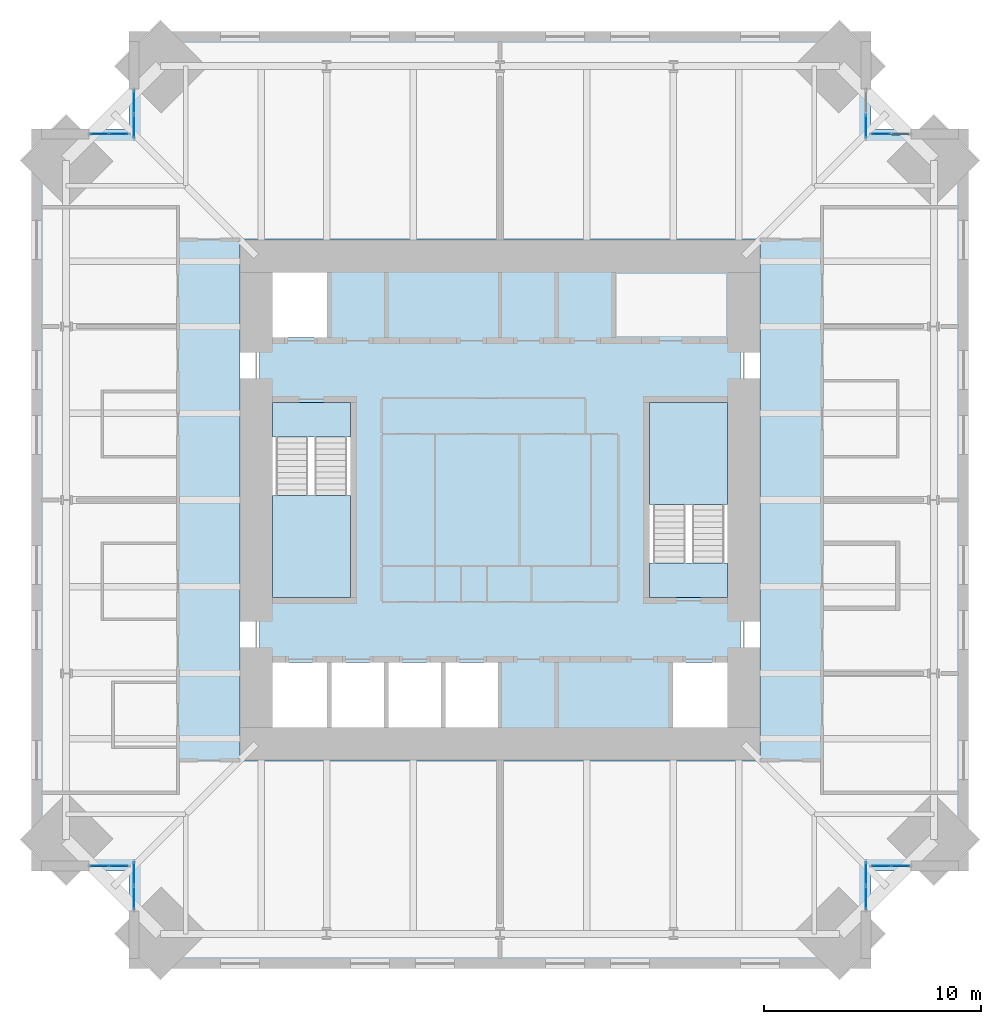
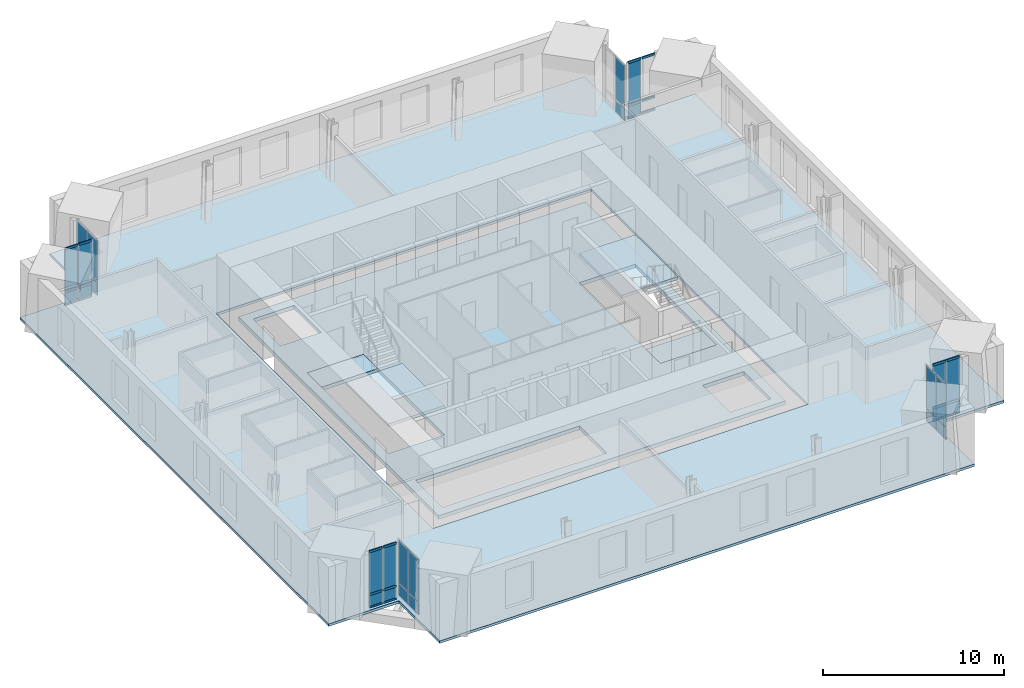
# One storey, part 10 of 16: 28 plates, 24 members, 6 slabs, 10 elements without a shape of their own.
"""IFC4 building model written with IfcOpenShell, lengths in metres."""

from ifc_helpers import new_model, si_unit, direction, frame, origin, origin_2d, place, context, subcontext, project, spatial, polyline, rectangle, hollow_rectangle, outline, extrude, material, layer, layer_set, material_profile, profile_set, type_object, element, aggregate, save


model = new_model("IFC4")

# Units and contexts
model_context = context("Model", 3, precision=1e-05, world=origin(), true_north=direction((0.0, 1.0)))
body_context = subcontext(model_context, "Body", "Model", "MODEL_VIEW")
ifc_project = project(units=[si_unit("LENGTHUNIT", "METRE"), si_unit("AREAUNIT", "SQUARE_METRE"), si_unit("VOLUMEUNIT", "CUBIC_METRE"), si_unit("PLANEANGLEUNIT", "RADIAN"), si_unit("MASSUNIT", "GRAM", prefix="KILO")], contexts=[model_context])

# Site, building, storey
site_placement = place(None, origin())
site = spatial("IfcSite", under=ifc_project, at=site_placement, CompositionType="ELEMENT")
building_placement = place(site_placement, origin())
building = spatial("IfcBuilding", under=site, at=building_placement, Name="Peilmerk Tower", CompositionType="ELEMENT")
storey_placement = place(building_placement, frame((0.0, 0.0, 269.800048828125)))
storey = spatial("IfcBuildingStorey", under=building, at=storey_placement, Name="L60", CompositionType="ELEMENT", Elevation=269.800048828125)

# Curtain wall, members
ifc_material_1 = material(Name="Aluminium stick curtain wall", Category="aluminium")
curtain_wall_type = type_object("IfcCurtainWallType", Name="CW4 stick curtain wall, 2250 module", PredefinedType="NOTDEFINED", material=ifc_material_1)
curtain_wall_1_placement = place(storey_placement, origin())
curtain_wall_1 = element("IfcCurtainWall", 1, at=curtain_wall_1_placement, inside=storey, type_object=curtain_wall_type, Name="Curtain wall CW4 NEB L60", PredefinedType="NOTDEFINED")
ifc_material_2 = material(Name="Aluminium EN AW-6063 T6", Category="aluminium")
ifc_material_profile = material_profile(ifc_material_2, hollow_rectangle(XDim=0.06494140625, YDim=0.14990234375, WallThickness=0.0029296875, at=origin_2d()), Name="AL 150x65x3")
ifc_profile_set = profile_set([ifc_material_profile], Name="Aluminium EN AW-6063 T6")
member_type = type_object("IfcMemberType", Name="CW4-T AL 150x65x3 transom", PredefinedType="USERDEFINED", material=ifc_profile_set)
member_1_placement = place(storey_placement, frame((17.1650390625, 16.875, 0.032470703125), z_axis=(1.0, 0.0, 0.0), x_axis=(0.0, 1.0, 0.0)))
member_1 = element("IfcMember", 2, at=member_1_placement, type_object=member_type, Name="CW4 transom 1.1", ObjectType="TRANSOM", PredefinedType="USERDEFINED", context=body_context, shape_type="SweptSolid", body=[
    extrude(hollow_rectangle(XDim=0.06494140625, YDim=0.14990234375, WallThickness=0.0029296875, at=origin_2d()), origin(), (0.0, 0.0, 1.0), 0.82177734375),
])
member_2_placement = place(storey_placement, frame((17.1650390625, 16.875, 0.89990234375), z_axis=(1.0, 0.0, 0.0), x_axis=(0.0, 1.0, 0.0)))
member_2 = element("IfcMember", 3, at=member_2_placement, type_object=member_type, Name="CW4 transom 1.2", ObjectType="TRANSOM", PredefinedType="USERDEFINED", context=body_context, shape_type="SweptSolid", body=[
    extrude(hollow_rectangle(XDim=0.06494140625, YDim=0.14990234375, WallThickness=0.0029296875, at=origin_2d()), origin(), (0.0, 0.0, 1.0), 0.82177734375),
])
member_3_placement = place(storey_placement, frame((17.1650390625, 16.875, 3.79736328125), z_axis=(1.0, 0.0, 0.0), x_axis=(0.0, 1.0, 0.0)))
member_3 = element("IfcMember", 4, at=member_3_placement, type_object=member_type, Name="CW4 transom 1.3", ObjectType="TRANSOM", PredefinedType="USERDEFINED", context=body_context, shape_type="SweptSolid", body=[
    extrude(hollow_rectangle(XDim=0.06494140625, YDim=0.14990234375, WallThickness=0.0029296875, at=origin_2d()), origin(), (0.0, 0.0, 1.0), 0.82177734375),
])
member_4_placement = place(storey_placement, frame((18.0517578125, 16.875, 0.032470703125), z_axis=(1.0, 0.0, 0.0), x_axis=(0.0, 1.0, 0.0)))
member_4 = element("IfcMember", 5, at=member_4_placement, type_object=member_type, Name="CW4 transom 2.1", ObjectType="TRANSOM", PredefinedType="USERDEFINED", context=body_context, shape_type="SweptSolid", body=[
    extrude(hollow_rectangle(XDim=0.06494140625, YDim=0.14990234375, WallThickness=0.0029296875, at=origin_2d()), origin(), (0.0, 0.0, 1.0), 0.822021484375),
])
member_5_placement = place(storey_placement, frame((18.0517578125, 16.875, 0.89990234375), z_axis=(1.0, 0.0, 0.0), x_axis=(0.0, 1.0, 0.0)))
member_5 = element("IfcMember", 6, at=member_5_placement, type_object=member_type, Name="CW4 transom 2.2", ObjectType="TRANSOM", PredefinedType="USERDEFINED", context=body_context, shape_type="SweptSolid", body=[
    extrude(hollow_rectangle(XDim=0.06494140625, YDim=0.14990234375, WallThickness=0.0029296875, at=origin_2d()), origin(), (0.0, 0.0, 1.0), 0.822021484375),
])
member_6_placement = place(storey_placement, frame((18.0517578125, 16.875, 3.79736328125), z_axis=(1.0, 0.0, 0.0), x_axis=(0.0, 1.0, 0.0)))
member_6 = element("IfcMember", 7, at=member_6_placement, type_object=member_type, Name="CW4 transom 2.3", ObjectType="TRANSOM", PredefinedType="USERDEFINED", context=body_context, shape_type="SweptSolid", body=[
    extrude(hollow_rectangle(XDim=0.06494140625, YDim=0.14990234375, WallThickness=0.0029296875, at=origin_2d()), origin(), (0.0, 0.0, 1.0), 0.822021484375),
])

curtain_wall_2_placement = place(storey_placement, origin())
curtain_wall_2 = element("IfcCurtainWall", 8, at=curtain_wall_2_placement, inside=storey, type_object=curtain_wall_type, Name="Curtain wall CW4 SEB L60", PredefinedType="NOTDEFINED")
member_7_placement = place(storey_placement, frame((17.1650390625, -16.875, 0.032470703125), z_axis=(1.0, 0.0, 0.0), x_axis=(0.0, 1.0, 0.0)))
member_7 = element("IfcMember", 9, at=member_7_placement, type_object=member_type, Name="CW4 transom 1.1", ObjectType="TRANSOM", PredefinedType="USERDEFINED", context=body_context, shape_type="SweptSolid", body=[
    extrude(hollow_rectangle(XDim=0.06494140625, YDim=0.14990234375, WallThickness=0.0029296875, at=origin_2d()), origin(), (0.0, 0.0, 1.0), 0.82177734375),
])
member_8_placement = place(storey_placement, frame((17.1650390625, -16.875, 0.89990234375), z_axis=(1.0, 0.0, 0.0), x_axis=(0.0, 1.0, 0.0)))
member_8 = element("IfcMember", 10, at=member_8_placement, type_object=member_type, Name="CW4 transom 1.2", ObjectType="TRANSOM", PredefinedType="USERDEFINED", context=body_context, shape_type="SweptSolid", body=[
    extrude(hollow_rectangle(XDim=0.06494140625, YDim=0.14990234375, WallThickness=0.0029296875, at=origin_2d()), origin(), (0.0, 0.0, 1.0), 0.82177734375),
])
member_9_placement = place(storey_placement, frame((17.1650390625, -16.875, 3.79736328125), z_axis=(1.0, 0.0, 0.0), x_axis=(0.0, 1.0, 0.0)))
member_9 = element("IfcMember", 11, at=member_9_placement, type_object=member_type, Name="CW4 transom 1.3", ObjectType="TRANSOM", PredefinedType="USERDEFINED", context=body_context, shape_type="SweptSolid", body=[
    extrude(hollow_rectangle(XDim=0.06494140625, YDim=0.14990234375, WallThickness=0.0029296875, at=origin_2d()), origin(), (0.0, 0.0, 1.0), 0.82177734375),
])
member_10_placement = place(storey_placement, frame((18.0517578125, -16.875, 0.032470703125), z_axis=(1.0, 0.0, 0.0), x_axis=(0.0, 1.0, 0.0)))
member_10 = element("IfcMember", 12, at=member_10_placement, type_object=member_type, Name="CW4 transom 2.1", ObjectType="TRANSOM", PredefinedType="USERDEFINED", context=body_context, shape_type="SweptSolid", body=[
    extrude(hollow_rectangle(XDim=0.06494140625, YDim=0.14990234375, WallThickness=0.0029296875, at=origin_2d()), origin(), (0.0, 0.0, 1.0), 0.822021484375),
])
member_11_placement = place(storey_placement, frame((18.0517578125, -16.875, 0.89990234375), z_axis=(1.0, 0.0, 0.0), x_axis=(0.0, 1.0, 0.0)))
member_11 = element("IfcMember", 13, at=member_11_placement, type_object=member_type, Name="CW4 transom 2.2", ObjectType="TRANSOM", PredefinedType="USERDEFINED", context=body_context, shape_type="SweptSolid", body=[
    extrude(hollow_rectangle(XDim=0.06494140625, YDim=0.14990234375, WallThickness=0.0029296875, at=origin_2d()), origin(), (0.0, 0.0, 1.0), 0.822021484375),
])
member_12_placement = place(storey_placement, frame((18.0517578125, -16.875, 3.79736328125), z_axis=(1.0, 0.0, 0.0), x_axis=(0.0, 1.0, 0.0)))
member_12 = element("IfcMember", 14, at=member_12_placement, type_object=member_type, Name="CW4 transom 2.3", ObjectType="TRANSOM", PredefinedType="USERDEFINED", context=body_context, shape_type="SweptSolid", body=[
    extrude(hollow_rectangle(XDim=0.06494140625, YDim=0.14990234375, WallThickness=0.0029296875, at=origin_2d()), origin(), (0.0, 0.0, 1.0), 0.822021484375),
])

curtain_wall_3_placement = place(storey_placement, origin())
curtain_wall_3 = element("IfcCurtainWall", 15, at=curtain_wall_3_placement, inside=storey, type_object=curtain_wall_type, Name="Curtain wall CW4 SWB L60", PredefinedType="NOTDEFINED")
member_13_placement = place(storey_placement, frame((-17.1650390625, -16.875, 0.032470703125), z_axis=(-1.0, 0.0, 0.0), x_axis=(0.0, -1.0, 0.0)))
member_13 = element("IfcMember", 16, at=member_13_placement, type_object=member_type, Name="CW4 transom 1.1", ObjectType="TRANSOM", PredefinedType="USERDEFINED", context=body_context, shape_type="SweptSolid", body=[
    extrude(hollow_rectangle(XDim=0.06494140625, YDim=0.14990234375, WallThickness=0.0029296875, at=origin_2d()), origin(), (0.0, 0.0, 1.0), 0.82177734375),
])
member_14_placement = place(storey_placement, frame((-17.1650390625, -16.875, 0.89990234375), z_axis=(-1.0, 0.0, 0.0), x_axis=(0.0, -1.0, 0.0)))
member_14 = element("IfcMember", 17, at=member_14_placement, type_object=member_type, Name="CW4 transom 1.2", ObjectType="TRANSOM", PredefinedType="USERDEFINED", context=body_context, shape_type="SweptSolid", body=[
    extrude(hollow_rectangle(XDim=0.06494140625, YDim=0.14990234375, WallThickness=0.0029296875, at=origin_2d()), origin(), (0.0, 0.0, 1.0), 0.82177734375),
])
member_15_placement = place(storey_placement, frame((-17.1650390625, -16.875, 3.79736328125), z_axis=(-1.0, 0.0, 0.0), x_axis=(0.0, -1.0, 0.0)))
member_15 = element("IfcMember", 18, at=member_15_placement, type_object=member_type, Name="CW4 transom 1.3", ObjectType="TRANSOM", PredefinedType="USERDEFINED", context=body_context, shape_type="SweptSolid", body=[
    extrude(hollow_rectangle(XDim=0.06494140625, YDim=0.14990234375, WallThickness=0.0029296875, at=origin_2d()), origin(), (0.0, 0.0, 1.0), 0.82177734375),
])
member_16_placement = place(storey_placement, frame((-18.0517578125, -16.875, 0.032470703125), z_axis=(-1.0, 0.0, 0.0), x_axis=(0.0, -1.0, 0.0)))
member_16 = element("IfcMember", 19, at=member_16_placement, type_object=member_type, Name="CW4 transom 2.1", ObjectType="TRANSOM", PredefinedType="USERDEFINED", context=body_context, shape_type="SweptSolid", body=[
    extrude(hollow_rectangle(XDim=0.06494140625, YDim=0.14990234375, WallThickness=0.0029296875, at=origin_2d()), origin(), (0.0, 0.0, 1.0), 0.822021484375),
])
member_17_placement = place(storey_placement, frame((-18.0517578125, -16.875, 0.89990234375), z_axis=(-1.0, 0.0, 0.0), x_axis=(0.0, -1.0, 0.0)))
member_17 = element("IfcMember", 20, at=member_17_placement, type_object=member_type, Name="CW4 transom 2.2", ObjectType="TRANSOM", PredefinedType="USERDEFINED", context=body_context, shape_type="SweptSolid", body=[
    extrude(hollow_rectangle(XDim=0.06494140625, YDim=0.14990234375, WallThickness=0.0029296875, at=origin_2d()), origin(), (0.0, 0.0, 1.0), 0.822021484375),
])
member_18_placement = place(storey_placement, frame((-18.0517578125, -16.875, 3.79736328125), z_axis=(-1.0, 0.0, 0.0), x_axis=(0.0, -1.0, 0.0)))
member_18 = element("IfcMember", 21, at=member_18_placement, type_object=member_type, Name="CW4 transom 2.3", ObjectType="TRANSOM", PredefinedType="USERDEFINED", context=body_context, shape_type="SweptSolid", body=[
    extrude(hollow_rectangle(XDim=0.06494140625, YDim=0.14990234375, WallThickness=0.0029296875, at=origin_2d()), origin(), (0.0, 0.0, 1.0), 0.822021484375),
])

curtain_wall_4_placement = place(storey_placement, origin())
curtain_wall_4 = element("IfcCurtainWall", 22, at=curtain_wall_4_placement, inside=storey, type_object=curtain_wall_type, Name="Curtain wall CW4 NWB L60", PredefinedType="NOTDEFINED")
member_19_placement = place(storey_placement, frame((-17.1650390625, 16.875, 0.032470703125), z_axis=(-1.0, 0.0, 0.0), x_axis=(0.0, -1.0, 0.0)))
member_19 = element("IfcMember", 23, at=member_19_placement, type_object=member_type, Name="CW4 transom 1.1", ObjectType="TRANSOM", PredefinedType="USERDEFINED", context=body_context, shape_type="SweptSolid", body=[
    extrude(hollow_rectangle(XDim=0.06494140625, YDim=0.14990234375, WallThickness=0.0029296875, at=origin_2d()), origin(), (0.0, 0.0, 1.0), 0.82177734375),
])
member_20_placement = place(storey_placement, frame((-17.1650390625, 16.875, 0.89990234375), z_axis=(-1.0, 0.0, 0.0), x_axis=(0.0, -1.0, 0.0)))
member_20 = element("IfcMember", 24, at=member_20_placement, type_object=member_type, Name="CW4 transom 1.2", ObjectType="TRANSOM", PredefinedType="USERDEFINED", context=body_context, shape_type="SweptSolid", body=[
    extrude(hollow_rectangle(XDim=0.06494140625, YDim=0.14990234375, WallThickness=0.0029296875, at=origin_2d()), origin(), (0.0, 0.0, 1.0), 0.82177734375),
])
member_21_placement = place(storey_placement, frame((-17.1650390625, 16.875, 3.79736328125), z_axis=(-1.0, 0.0, 0.0), x_axis=(0.0, -1.0, 0.0)))
member_21 = element("IfcMember", 25, at=member_21_placement, type_object=member_type, Name="CW4 transom 1.3", ObjectType="TRANSOM", PredefinedType="USERDEFINED", context=body_context, shape_type="SweptSolid", body=[
    extrude(hollow_rectangle(XDim=0.06494140625, YDim=0.14990234375, WallThickness=0.0029296875, at=origin_2d()), origin(), (0.0, 0.0, 1.0), 0.82177734375),
])
member_22_placement = place(storey_placement, frame((-18.0517578125, 16.875, 0.032470703125), z_axis=(-1.0, 0.0, 0.0), x_axis=(0.0, -1.0, 0.0)))
member_22 = element("IfcMember", 26, at=member_22_placement, type_object=member_type, Name="CW4 transom 2.1", ObjectType="TRANSOM", PredefinedType="USERDEFINED", context=body_context, shape_type="SweptSolid", body=[
    extrude(hollow_rectangle(XDim=0.06494140625, YDim=0.14990234375, WallThickness=0.0029296875, at=origin_2d()), origin(), (0.0, 0.0, 1.0), 0.822021484375),
])
member_23_placement = place(storey_placement, frame((-18.0517578125, 16.875, 0.89990234375), z_axis=(-1.0, 0.0, 0.0), x_axis=(0.0, -1.0, 0.0)))
member_23 = element("IfcMember", 27, at=member_23_placement, type_object=member_type, Name="CW4 transom 2.2", ObjectType="TRANSOM", PredefinedType="USERDEFINED", context=body_context, shape_type="SweptSolid", body=[
    extrude(hollow_rectangle(XDim=0.06494140625, YDim=0.14990234375, WallThickness=0.0029296875, at=origin_2d()), origin(), (0.0, 0.0, 1.0), 0.822021484375),
])
member_24_placement = place(storey_placement, frame((-18.0517578125, 16.875, 3.79736328125), z_axis=(-1.0, 0.0, 0.0), x_axis=(0.0, -1.0, 0.0)))
member_24 = element("IfcMember", 28, at=member_24_placement, type_object=member_type, Name="CW4 transom 2.3", ObjectType="TRANSOM", PredefinedType="USERDEFINED", context=body_context, shape_type="SweptSolid", body=[
    extrude(hollow_rectangle(XDim=0.06494140625, YDim=0.14990234375, WallThickness=0.0029296875, at=origin_2d()), origin(), (0.0, 0.0, 1.0), 0.822021484375),
])

# Slab
ifc_material_3 = material(Name="Concrete C55/67", Category="concrete")
ifc_layer_1 = layer(ifc_material_3, 0.25)
ifc_layer_set_1 = layer_set([ifc_layer_1], Name="Concrete C55/67")
slab_type_1 = type_object("IfcSlabType", Name="CS250 250 core floor slab", PredefinedType="FLOOR", material=ifc_layer_set_1)
slab_1_placement = place(storey_placement, frame((0.0, 0.0, -0.25)))
element("IfcSlab", 29, at=slab_1_placement, inside=storey, type_object=slab_type_1, Name="Core slab L60", PredefinedType="FLOOR", context=body_context, shape_type="SweptSolid", body=[
    extrude(outline(polyline([(11.10009765625, -11.10009765625), (11.10009765625, 11.10009765625), (-11.10009765625, 11.10009765625), (-11.10009765625, -11.10009765625), (11.10009765625, -11.10009765625)]), holes=[polyline([(-7.875, 7.5), (-10.5, 7.5), (-10.5, 10.5), (-7.875, 10.5), (-7.875, 7.5)]), polyline([(0.0, -10.5), (-10.5, -10.5), (-10.5, -7.5), (0.0, -7.5), (0.0, -10.5)]), polyline([(7.875, -10.5), (7.875, -7.5), (10.5, -7.5), (10.5, -10.5), (7.875, -10.5)]), polyline([(-10.5, 4.5), (-6.89990234375, 4.5), (-6.89990234375, -4.5), (-10.5, -4.5), (-10.5, 4.5)]), polyline([(10.5, 4.5), (10.5, -4.5), (6.89990234375, -4.5), (6.89990234375, 4.5), (10.5, 4.5)])]), origin(), (0.0, 0.0, 1.0), 0.25),
])

# Curtain wall, plates
curtain_wall_5_placement = place(storey_placement, origin())
curtain_wall_5 = element("IfcCurtainWall", 30, at=curtain_wall_5_placement, inside=storey, type_object=curtain_wall_type, Name="Curtain wall CW4 NEA L60", PredefinedType="NOTDEFINED")
ifc_material_4 = material(Name="Clear insulated glazing unit", Category="glass")
ifc_layer_2 = layer(ifc_material_4, 0.028076171875)
ifc_layer_set_2 = layer_set([ifc_layer_2], Name="Clear insulated glazing unit")
plate_type = type_object("IfcPlateType", Name="CW4-P 28 glazed panel", PredefinedType="CURTAIN_PANEL", material=ifc_layer_set_2)
plate_1_placement = place(storey_placement, frame((16.875, 17.238525390625, 0.06494140625), z_axis=(0.0, 0.0, 1.0), x_axis=(0.0, 1.0, 0.0)))
plate_1 = element("IfcPlate", 31, at=plate_1_placement, type_object=plate_type, Name="CW4 panel 1.1", PredefinedType="CURTAIN_PANEL", context=body_context, shape_type="SweptSolid", body=[
    extrude(rectangle(XDim=1.046875, YDim=0.028076171875, at=origin_2d()), origin(), (0.0, 0.0, 1.0), 0.802490234375),
])
plate_2_placement = place(storey_placement, frame((16.875, 17.238525390625, 0.932373046875), z_axis=(0.0, 0.0, 1.0), x_axis=(0.0, 1.0, 0.0)))
plate_2 = element("IfcPlate", 32, at=plate_2_placement, type_object=plate_type, Name="CW4 panel 1.2", PredefinedType="CURTAIN_PANEL", context=body_context, shape_type="SweptSolid", body=[
    extrude(rectangle(XDim=1.046875, YDim=0.028076171875, at=origin_2d()), origin(), (0.0, 0.0, 1.0), 2.83251953125),
])
aggregate(curtain_wall_5, [plate_1, plate_2])

# Plate
plate_3_placement = place(storey_placement, frame((17.575927734375, 16.875, 0.06494140625), z_axis=(0.0, 0.0, 1.0), x_axis=(1.0, 0.0, 0.0)))
plate_3 = element("IfcPlate", 33, at=plate_3_placement, type_object=plate_type, Name="CW4 panel 1.1", PredefinedType="CURTAIN_PANEL", context=body_context, shape_type="SweptSolid", body=[
    extrude(rectangle(XDim=0.82177734375, YDim=0.028076171875, at=origin_2d()), origin(), (0.0, 0.0, 1.0), 0.802490234375),
])

plate_4_placement = place(storey_placement, frame((17.575927734375, 16.875, 0.932373046875), z_axis=(0.0, 0.0, 1.0), x_axis=(1.0, 0.0, 0.0)))
plate_4 = element("IfcPlate", 34, at=plate_4_placement, type_object=plate_type, Name="CW4 panel 1.2", PredefinedType="CURTAIN_PANEL", context=body_context, shape_type="SweptSolid", body=[
    extrude(rectangle(XDim=0.82177734375, YDim=0.028076171875, at=origin_2d()), origin(), (0.0, 0.0, 1.0), 2.83251953125),
])

aggregate(curtain_wall_1, [member_1, member_2, member_3, plate_3, plate_4, member_4, member_5, member_6])

# Curtain wall, plates
curtain_wall_6_placement = place(storey_placement, origin())
curtain_wall_6 = element("IfcCurtainWall", 35, at=curtain_wall_6_placement, inside=storey, type_object=curtain_wall_type, Name="Curtain wall CW4 SEA L60", PredefinedType="NOTDEFINED")
plate_5_placement = place(storey_placement, frame((16.875, -17.238525390625, 0.06494140625), z_axis=(0.0, 0.0, 1.0), x_axis=(0.0, -1.0, 0.0)))
plate_5 = element("IfcPlate", 36, at=plate_5_placement, type_object=plate_type, Name="CW4 panel 1.1", PredefinedType="CURTAIN_PANEL", context=body_context, shape_type="SweptSolid", body=[
    extrude(rectangle(XDim=1.046875, YDim=0.028076171875, at=origin_2d()), origin(), (0.0, 0.0, 1.0), 0.802490234375),
])
plate_6_placement = place(storey_placement, frame((16.875, -17.238525390625, 0.932373046875), z_axis=(0.0, 0.0, 1.0), x_axis=(0.0, -1.0, 0.0)))
plate_6 = element("IfcPlate", 37, at=plate_6_placement, type_object=plate_type, Name="CW4 panel 1.2", PredefinedType="CURTAIN_PANEL", context=body_context, shape_type="SweptSolid", body=[
    extrude(rectangle(XDim=1.046875, YDim=0.028076171875, at=origin_2d()), origin(), (0.0, 0.0, 1.0), 2.83251953125),
])
plate_7_placement = place(storey_placement, frame((16.875, -18.350341796875, 0.06494140625), z_axis=(0.0, 0.0, 1.0), x_axis=(0.0, -1.0, 0.0)))
plate_7 = element("IfcPlate", 38, at=plate_7_placement, type_object=plate_type, Name="CW4 panel 2.1", PredefinedType="CURTAIN_PANEL", context=body_context, shape_type="SweptSolid", body=[
    extrude(rectangle(XDim=1.046875, YDim=0.028076171875, at=origin_2d()), origin(), (0.0, 0.0, 1.0), 0.802490234375),
])
plate_8_placement = place(storey_placement, frame((16.875, -18.350341796875, 0.932373046875), z_axis=(0.0, 0.0, 1.0), x_axis=(0.0, -1.0, 0.0)))
plate_8 = element("IfcPlate", 39, at=plate_8_placement, type_object=plate_type, Name="CW4 panel 2.2", PredefinedType="CURTAIN_PANEL", context=body_context, shape_type="SweptSolid", body=[
    extrude(rectangle(XDim=1.046875, YDim=0.028076171875, at=origin_2d()), origin(), (0.0, 0.0, 1.0), 2.83251953125),
])
aggregate(curtain_wall_6, [plate_5, plate_6, plate_7, plate_8])

# Plate
plate_9_placement = place(storey_placement, frame((17.575927734375, -16.875, 0.06494140625), z_axis=(0.0, 0.0, 1.0), x_axis=(1.0, 0.0, 0.0)))
plate_9 = element("IfcPlate", 40, at=plate_9_placement, type_object=plate_type, Name="CW4 panel 1.1", PredefinedType="CURTAIN_PANEL", context=body_context, shape_type="SweptSolid", body=[
    extrude(rectangle(XDim=0.82177734375, YDim=0.028076171875, at=origin_2d()), origin(), (0.0, 0.0, 1.0), 0.802490234375),
])

plate_10_placement = place(storey_placement, frame((17.575927734375, -16.875, 0.932373046875), z_axis=(0.0, 0.0, 1.0), x_axis=(1.0, 0.0, 0.0)))
plate_10 = element("IfcPlate", 41, at=plate_10_placement, type_object=plate_type, Name="CW4 panel 1.2", PredefinedType="CURTAIN_PANEL", context=body_context, shape_type="SweptSolid", body=[
    extrude(rectangle(XDim=0.82177734375, YDim=0.028076171875, at=origin_2d()), origin(), (0.0, 0.0, 1.0), 2.83251953125),
])

plate_11_placement = place(storey_placement, frame((18.462646484375, -16.875, 0.06494140625), z_axis=(0.0, 0.0, 1.0), x_axis=(1.0, 0.0, 0.0)))
plate_11 = element("IfcPlate", 42, at=plate_11_placement, type_object=plate_type, Name="CW4 panel 2.1", PredefinedType="CURTAIN_PANEL", context=body_context, shape_type="SweptSolid", body=[
    extrude(rectangle(XDim=0.82177734375, YDim=0.028076171875, at=origin_2d()), origin(), (0.0, 0.0, 1.0), 0.802490234375),
])

plate_12_placement = place(storey_placement, frame((18.462646484375, -16.875, 0.932373046875), z_axis=(0.0, 0.0, 1.0), x_axis=(1.0, 0.0, 0.0)))
plate_12 = element("IfcPlate", 43, at=plate_12_placement, type_object=plate_type, Name="CW4 panel 2.2", PredefinedType="CURTAIN_PANEL", context=body_context, shape_type="SweptSolid", body=[
    extrude(rectangle(XDim=0.82177734375, YDim=0.028076171875, at=origin_2d()), origin(), (0.0, 0.0, 1.0), 2.83251953125),
])

aggregate(curtain_wall_2, [member_7, member_8, member_9, plate_9, plate_10, member_10, member_11, member_12, plate_11, plate_12])

# Curtain wall, plates
curtain_wall_7_placement = place(storey_placement, origin())
curtain_wall_7 = element("IfcCurtainWall", 44, at=curtain_wall_7_placement, inside=storey, type_object=curtain_wall_type, Name="Curtain wall CW4 SWA L60", PredefinedType="NOTDEFINED")
plate_13_placement = place(storey_placement, frame((-16.875, -17.238525390625, 0.06494140625), z_axis=(0.0, 0.0, 1.0), x_axis=(0.0, -1.0, 0.0)))
plate_13 = element("IfcPlate", 45, at=plate_13_placement, type_object=plate_type, Name="CW4 panel 1.1", PredefinedType="CURTAIN_PANEL", context=body_context, shape_type="SweptSolid", body=[
    extrude(rectangle(XDim=1.046875, YDim=0.028076171875, at=origin_2d()), origin(), (0.0, 0.0, 1.0), 0.802490234375),
])
plate_14_placement = place(storey_placement, frame((-16.875, -17.238525390625, 0.932373046875), z_axis=(0.0, 0.0, 1.0), x_axis=(0.0, -1.0, 0.0)))
plate_14 = element("IfcPlate", 46, at=plate_14_placement, type_object=plate_type, Name="CW4 panel 1.2", PredefinedType="CURTAIN_PANEL", context=body_context, shape_type="SweptSolid", body=[
    extrude(rectangle(XDim=1.046875, YDim=0.028076171875, at=origin_2d()), origin(), (0.0, 0.0, 1.0), 2.83251953125),
])
plate_15_placement = place(storey_placement, frame((-16.875, -18.350341796875, 0.06494140625), z_axis=(0.0, 0.0, 1.0), x_axis=(0.0, -1.0, 0.0)))
plate_15 = element("IfcPlate", 47, at=plate_15_placement, type_object=plate_type, Name="CW4 panel 2.1", PredefinedType="CURTAIN_PANEL", context=body_context, shape_type="SweptSolid", body=[
    extrude(rectangle(XDim=1.046875, YDim=0.028076171875, at=origin_2d()), origin(), (0.0, 0.0, 1.0), 0.802490234375),
])
plate_16_placement = place(storey_placement, frame((-16.875, -18.350341796875, 0.932373046875), z_axis=(0.0, 0.0, 1.0), x_axis=(0.0, -1.0, 0.0)))
plate_16 = element("IfcPlate", 48, at=plate_16_placement, type_object=plate_type, Name="CW4 panel 2.2", PredefinedType="CURTAIN_PANEL", context=body_context, shape_type="SweptSolid", body=[
    extrude(rectangle(XDim=1.046875, YDim=0.028076171875, at=origin_2d()), origin(), (0.0, 0.0, 1.0), 2.83251953125),
])
aggregate(curtain_wall_7, [plate_13, plate_14, plate_15, plate_16])

# Plate
plate_17_placement = place(storey_placement, frame((-17.575927734375, -16.875, 0.06494140625), z_axis=(0.0, 0.0, 1.0), x_axis=(-1.0, 0.0, 0.0)))
plate_17 = element("IfcPlate", 49, at=plate_17_placement, type_object=plate_type, Name="CW4 panel 1.1", PredefinedType="CURTAIN_PANEL", context=body_context, shape_type="SweptSolid", body=[
    extrude(rectangle(XDim=0.82177734375, YDim=0.028076171875, at=origin_2d()), origin(), (0.0, 0.0, 1.0), 0.802490234375),
])

plate_18_placement = place(storey_placement, frame((-17.575927734375, -16.875, 0.932373046875), z_axis=(0.0, 0.0, 1.0), x_axis=(-1.0, 0.0, 0.0)))
plate_18 = element("IfcPlate", 50, at=plate_18_placement, type_object=plate_type, Name="CW4 panel 1.2", PredefinedType="CURTAIN_PANEL", context=body_context, shape_type="SweptSolid", body=[
    extrude(rectangle(XDim=0.82177734375, YDim=0.028076171875, at=origin_2d()), origin(), (0.0, 0.0, 1.0), 2.83251953125),
])

plate_19_placement = place(storey_placement, frame((-18.462646484375, -16.875, 0.06494140625), z_axis=(0.0, 0.0, 1.0), x_axis=(-1.0, 0.0, 0.0)))
plate_19 = element("IfcPlate", 51, at=plate_19_placement, type_object=plate_type, Name="CW4 panel 2.1", PredefinedType="CURTAIN_PANEL", context=body_context, shape_type="SweptSolid", body=[
    extrude(rectangle(XDim=0.82177734375, YDim=0.028076171875, at=origin_2d()), origin(), (0.0, 0.0, 1.0), 0.802490234375),
])

plate_20_placement = place(storey_placement, frame((-18.462646484375, -16.875, 0.932373046875), z_axis=(0.0, 0.0, 1.0), x_axis=(-1.0, 0.0, 0.0)))
plate_20 = element("IfcPlate", 52, at=plate_20_placement, type_object=plate_type, Name="CW4 panel 2.2", PredefinedType="CURTAIN_PANEL", context=body_context, shape_type="SweptSolid", body=[
    extrude(rectangle(XDim=0.82177734375, YDim=0.028076171875, at=origin_2d()), origin(), (0.0, 0.0, 1.0), 2.83251953125),
])

aggregate(curtain_wall_3, [member_13, member_14, member_15, plate_17, plate_18, member_16, member_17, member_18, plate_19, plate_20])

# Curtain wall, plates
curtain_wall_8_placement = place(storey_placement, origin())
curtain_wall_8 = element("IfcCurtainWall", 53, at=curtain_wall_8_placement, inside=storey, type_object=curtain_wall_type, Name="Curtain wall CW4 NWA L60", PredefinedType="NOTDEFINED")
plate_21_placement = place(storey_placement, frame((-16.875, 17.238525390625, 0.06494140625), z_axis=(0.0, 0.0, 1.0), x_axis=(0.0, 1.0, 0.0)))
plate_21 = element("IfcPlate", 54, at=plate_21_placement, type_object=plate_type, Name="CW4 panel 1.1", PredefinedType="CURTAIN_PANEL", context=body_context, shape_type="SweptSolid", body=[
    extrude(rectangle(XDim=1.046875, YDim=0.028076171875, at=origin_2d()), origin(), (0.0, 0.0, 1.0), 0.802490234375),
])
plate_22_placement = place(storey_placement, frame((-16.875, 17.238525390625, 0.932373046875), z_axis=(0.0, 0.0, 1.0), x_axis=(0.0, 1.0, 0.0)))
plate_22 = element("IfcPlate", 55, at=plate_22_placement, type_object=plate_type, Name="CW4 panel 1.2", PredefinedType="CURTAIN_PANEL", context=body_context, shape_type="SweptSolid", body=[
    extrude(rectangle(XDim=1.046875, YDim=0.028076171875, at=origin_2d()), origin(), (0.0, 0.0, 1.0), 2.83251953125),
])
plate_23_placement = place(storey_placement, frame((-16.875, 18.350341796875, 0.06494140625), z_axis=(0.0, 0.0, 1.0), x_axis=(0.0, 1.0, 0.0)))
plate_23 = element("IfcPlate", 56, at=plate_23_placement, type_object=plate_type, Name="CW4 panel 2.1", PredefinedType="CURTAIN_PANEL", context=body_context, shape_type="SweptSolid", body=[
    extrude(rectangle(XDim=1.046875, YDim=0.028076171875, at=origin_2d()), origin(), (0.0, 0.0, 1.0), 0.802490234375),
])
plate_24_placement = place(storey_placement, frame((-16.875, 18.350341796875, 0.932373046875), z_axis=(0.0, 0.0, 1.0), x_axis=(0.0, 1.0, 0.0)))
plate_24 = element("IfcPlate", 57, at=plate_24_placement, type_object=plate_type, Name="CW4 panel 2.2", PredefinedType="CURTAIN_PANEL", context=body_context, shape_type="SweptSolid", body=[
    extrude(rectangle(XDim=1.046875, YDim=0.028076171875, at=origin_2d()), origin(), (0.0, 0.0, 1.0), 2.83251953125),
])
aggregate(curtain_wall_8, [plate_21, plate_22, plate_23, plate_24])

# Plate
plate_25_placement = place(storey_placement, frame((-17.575927734375, 16.875, 0.06494140625), z_axis=(0.0, 0.0, 1.0), x_axis=(-1.0, 0.0, 0.0)))
plate_25 = element("IfcPlate", 58, at=plate_25_placement, type_object=plate_type, Name="CW4 panel 1.1", PredefinedType="CURTAIN_PANEL", context=body_context, shape_type="SweptSolid", body=[
    extrude(rectangle(XDim=0.82177734375, YDim=0.028076171875, at=origin_2d()), origin(), (0.0, 0.0, 1.0), 0.802490234375),
])

plate_26_placement = place(storey_placement, frame((-17.575927734375, 16.875, 0.932373046875), z_axis=(0.0, 0.0, 1.0), x_axis=(-1.0, 0.0, 0.0)))
plate_26 = element("IfcPlate", 59, at=plate_26_placement, type_object=plate_type, Name="CW4 panel 1.2", PredefinedType="CURTAIN_PANEL", context=body_context, shape_type="SweptSolid", body=[
    extrude(rectangle(XDim=0.82177734375, YDim=0.028076171875, at=origin_2d()), origin(), (0.0, 0.0, 1.0), 2.83251953125),
])

plate_27_placement = place(storey_placement, frame((-18.462646484375, 16.875, 0.06494140625), z_axis=(0.0, 0.0, 1.0), x_axis=(-1.0, 0.0, 0.0)))
plate_27 = element("IfcPlate", 60, at=plate_27_placement, type_object=plate_type, Name="CW4 panel 2.1", PredefinedType="CURTAIN_PANEL", context=body_context, shape_type="SweptSolid", body=[
    extrude(rectangle(XDim=0.82177734375, YDim=0.028076171875, at=origin_2d()), origin(), (0.0, 0.0, 1.0), 0.802490234375),
])

plate_28_placement = place(storey_placement, frame((-18.462646484375, 16.875, 0.932373046875), z_axis=(0.0, 0.0, 1.0), x_axis=(-1.0, 0.0, 0.0)))
plate_28 = element("IfcPlate", 61, at=plate_28_placement, type_object=plate_type, Name="CW4 panel 2.2", PredefinedType="CURTAIN_PANEL", context=body_context, shape_type="SweptSolid", body=[
    extrude(rectangle(XDim=0.82177734375, YDim=0.028076171875, at=origin_2d()), origin(), (0.0, 0.0, 1.0), 2.83251953125),
])

aggregate(curtain_wall_4, [member_19, member_20, member_21, plate_25, plate_26, member_22, member_23, member_24, plate_27, plate_28])

# Slab
ifc_material_5 = material(Name="Concrete C35/45", Category="concrete")
ifc_layer_3 = layer(ifc_material_5, 0.169921875)
ifc_layer_set_3 = layer_set([ifc_layer_3], Name="Concrete C35/45")
slab_type_2 = type_object("IfcSlabType", Name="FS170 170 composite floor slab", PredefinedType="FLOOR", material=ifc_layer_set_3)
slab_2_placement = place(storey_placement, frame((0.0, 0.0, -0.170166015625)))
element("IfcSlab", 62, at=slab_2_placement, inside=storey, type_object=slab_type_2, Name="Floor slab L60", PredefinedType="FLOOR", context=body_context, shape_type="SweptSolid", body=[
    extrude(outline(polyline([(-17.10009765625, -21.60009765625), (17.10009765625, -21.60009765625), (17.10009765625, -17.10009765625), (21.60009765625, -17.10009765625), (21.60009765625, 17.10009765625), (17.10009765625, 17.10009765625), (17.10009765625, 21.60009765625), (-17.10009765625, 21.60009765625), (-17.10009765625, 17.10009765625), (-21.60009765625, 17.10009765625), (-21.60009765625, -17.10009765625), (-17.10009765625, -17.10009765625), (-17.10009765625, -21.60009765625)]), holes=[polyline([(12.0, 12.0), (12.0, -12.0), (-12.0, -12.0), (-12.0, 12.0), (12.0, 12.0)])]), origin(), (0.0, 0.0, 1.0), 0.170166015625),
])

# Stair, slab
ifc_material_6 = material(Name="Precast concrete C45/55", Category="concrete")
stair_type_1 = type_object("IfcStairType", Name="ST1 22 risers of 181.8", PredefinedType="HALF_TURN_STAIR", material=ifc_material_6)
stair_1_placement = place(storey_placement, origin())
stair_1 = element("IfcStair", 63, at=stair_1_placement, inside=storey, type_object=stair_type_1, Name="Stair 1 L60 to L61", PredefinedType="HALF_TURN_STAIR")
ifc_layer_4 = layer(ifc_material_5, 0.199951171875)
ifc_layer_set_4 = layer_set([ifc_layer_4], Name="Concrete C35/45")
slab_type_3 = type_object("IfcSlabType", Name="SL1 200 concrete stair landing", PredefinedType="LANDING", material=ifc_layer_set_4)
slab_3_placement = place(storey_placement, frame((0.0, 0.0, 1.800048828125)))
slab_3 = element("IfcSlab", 64, at=slab_3_placement, type_object=slab_type_3, Name="ST1 landing 1", PredefinedType="LANDING", context=body_context, shape_type="SweptSolid", body=[
    extrude(outline(polyline([(-10.5, -4.5), (-6.89990234375, -4.5), (-6.89990234375, 0.199951171875), (-10.5, 0.199951171875), (-10.5, -4.5)])), origin(), (0.0, 0.0, 1.0), 0.199951171875),
])

stair_type_2 = type_object("IfcStairType", Name="ST2 22 risers of 181.8", PredefinedType="HALF_TURN_STAIR", material=ifc_material_6)
stair_2_placement = place(storey_placement, origin())
stair_2 = element("IfcStair", 65, at=stair_2_placement, inside=storey, type_object=stair_type_2, Name="Stair 2 L60 to L61", PredefinedType="HALF_TURN_STAIR")
slab_4_placement = place(storey_placement, frame((0.0, 0.0, 1.800048828125)))
slab_4 = element("IfcSlab", 66, at=slab_4_placement, type_object=slab_type_3, Name="ST2 landing 1", PredefinedType="LANDING", context=body_context, shape_type="SweptSolid", body=[
    extrude(outline(polyline([(6.89990234375, -0.199951171875), (10.5, -0.199951171875), (10.5, 4.5), (6.89990234375, 4.5), (6.89990234375, -0.199951171875)])), origin(), (0.0, 0.0, 1.0), 0.199951171875),
])

# Slab
ifc_layer_5 = layer(ifc_material_5, 0.25)
ifc_layer_set_5 = layer_set([ifc_layer_5], Name="Concrete C35/45")
slab_type_4 = type_object("IfcSlabType", Name="SL2 250 concrete floor landing", PredefinedType="LANDING", material=ifc_layer_set_5)
slab_5_placement = place(storey_placement, frame((0.0, 0.0, -0.25)))
slab_5 = element("IfcSlab", 67, at=slab_5_placement, type_object=slab_type_4, Name="ST1 floor landing", PredefinedType="LANDING", context=body_context, shape_type="SweptSolid", body=[
    extrude(outline(polyline([(-10.5, 2.89990234375), (-6.89990234375, 2.89990234375), (-6.89990234375, 4.5), (-10.5, 4.5), (-10.5, 2.89990234375)])), origin(), (0.0, 0.0, 1.0), 0.25),
])

aggregate(stair_1, [slab_3, slab_5])

slab_6_placement = place(storey_placement, frame((0.0, 0.0, -0.25)))
slab_6 = element("IfcSlab", 68, at=slab_6_placement, type_object=slab_type_4, Name="ST2 floor landing", PredefinedType="LANDING", context=body_context, shape_type="SweptSolid", body=[
    extrude(outline(polyline([(6.89990234375, -4.5), (10.5, -4.5), (10.5, -2.89990234375), (6.89990234375, -2.89990234375), (6.89990234375, -4.5)])), origin(), (0.0, 0.0, 1.0), 0.25),
])

aggregate(stair_2, [slab_4, slab_6])

save(model, "model.ifc")
